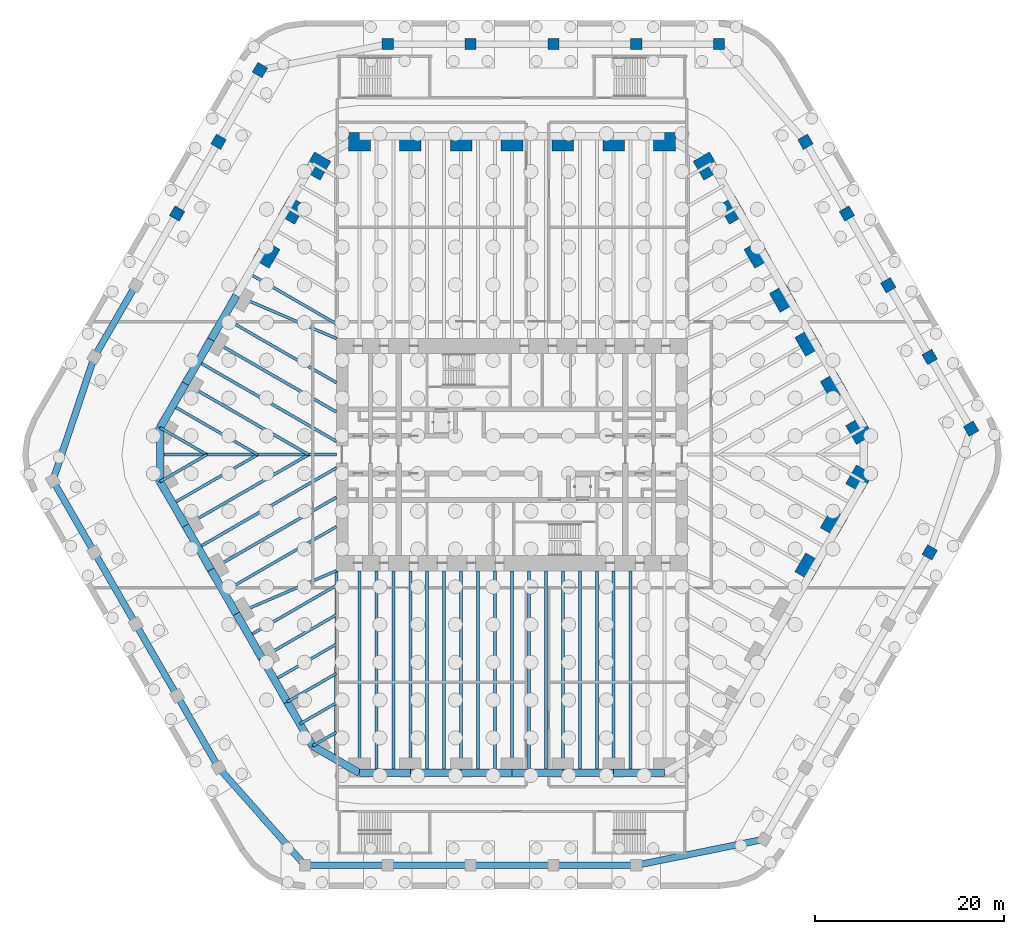
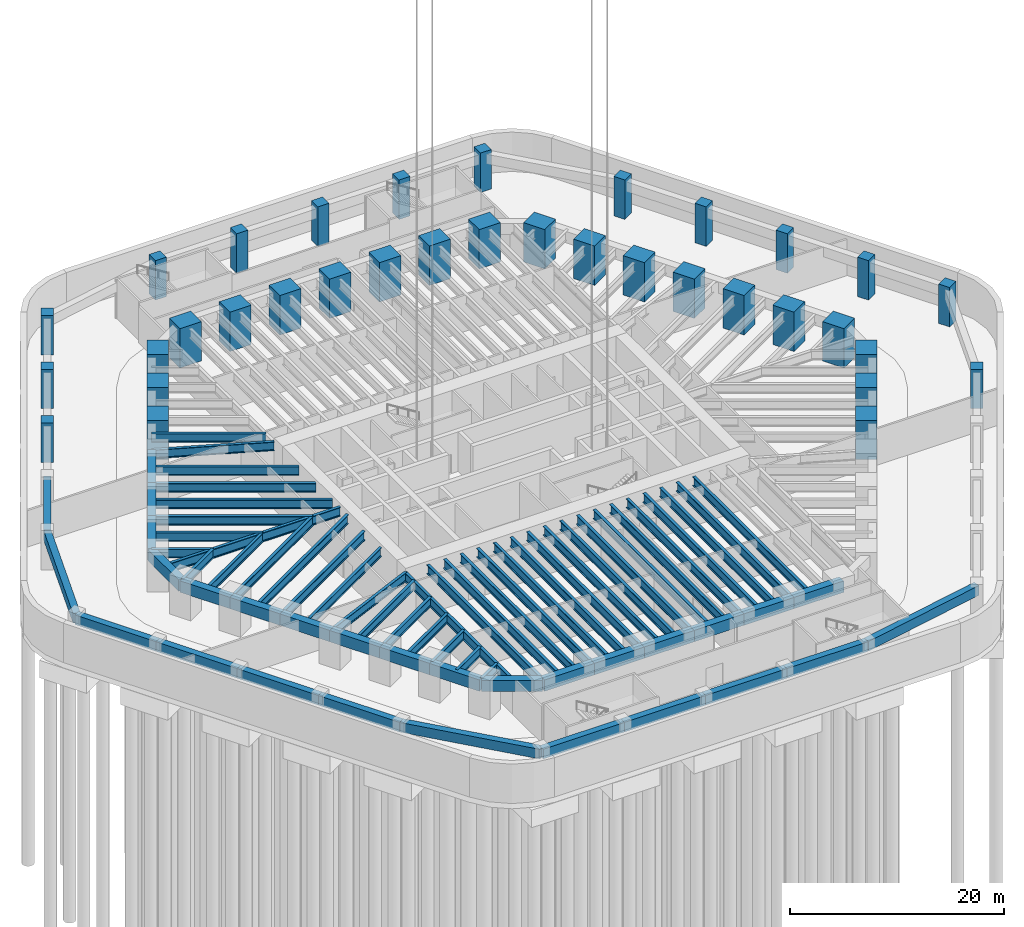
# One storey, part 3 of 17: 69 beams, 34 columns.
"""IFC4 building model written with IfcOpenShell, lengths in metres."""

from ifc_helpers import new_model, si_unit, direction, frame, origin, origin_2d, place, context, subcontext, project, spatial, rectangle, i_section, extrude, material, material_profile, profile_set, type_object, element, save


model = new_model("IFC4")

# Units and contexts
model_context = context("Model", 3, precision=1e-05, world=origin(), true_north=direction((0.0, 1.0)))
body_context = subcontext(model_context, "Body", "Model", "MODEL_VIEW")
ifc_project = project(units=[si_unit("LENGTHUNIT", "METRE"), si_unit("AREAUNIT", "SQUARE_METRE"), si_unit("VOLUMEUNIT", "CUBIC_METRE"), si_unit("PLANEANGLEUNIT", "RADIAN"), si_unit("MASSUNIT", "GRAM", prefix="KILO")], contexts=[model_context])

# Site, building, storey
site_placement = place(None, origin())
site = spatial("IfcSite", under=ifc_project, at=site_placement, CompositionType="ELEMENT")
building_placement = place(site_placement, origin())
building = spatial("IfcBuilding", under=site, at=building_placement, Name="Tarfa Lantern Tower", CompositionType="ELEMENT")
storey_placement = place(building_placement, frame((0.0, 0.0, -9.0)))
storey = spatial("IfcBuildingStorey", under=building, at=storey_placement, Name="B2", CompositionType="ELEMENT", Elevation=-9.0)

# Columns
ifc_material_1 = material(Name="Concrete C80/95", Category="concrete")
ifc_material_profile_1 = material_profile(ifc_material_1, rectangle(XDim=1.199951171875, YDim=1.199951171875, at=origin_2d()), Name="RC 1200x1200")
ifc_profile_set_1 = profile_set([ifc_material_profile_1], Name="Concrete C80/95")
column_type_1 = type_object("IfcColumnType", Name="PC1 RC 1200x1200", PredefinedType="COLUMN", material=ifc_profile_set_1)
for number, where, z_axis, x_axis, name in (
    (1, (48.641845703125, 2.75, 0.0), (0.0, 0.0, 1.0), (-0.5, 0.866025403784, 0.0), "Podium column NE0"),
    (2, (44.25390625, 10.35009765625, 0.0), (0.0, 0.0, 1.0), (-0.5, 0.866025403784, 0.0), "Podium column NE1"),
    (3, (39.865966796875, 17.949951171875, 0.0), (0.0, 0.0, 1.0), (-0.5, 0.866025403784, 0.0), "Podium column NE2"),
    (4, (35.478271484375, 25.550048828125, 0.0), (0.0, 0.0, 1.0), (-0.5, 0.866025403784, 0.0), "Podium column NE3"),
    (5, (31.09033203125, 33.14990234375, 0.0), (0.0, 0.0, 1.0), (-0.5, 0.866025403784, 0.0), "Podium column NE4"),
    (6, (21.939208984375, 43.5, 0.0), (0.0, 0.0, 1.0), (-1.0, 0.0, 0.0), "Podium column N0"),
    (7, (13.16357421875, 43.5, 0.0), (0.0, 0.0, 1.0), (-1.0, 0.0, 0.0), "Podium column N1"),
    (8, (4.387939453125, 43.5, 0.0), (0.0, 0.0, 1.0), (-1.0, 0.0, 0.0), "Podium column N2"),
    (9, (-4.387939453125, 43.5, 0.0), (0.0, 0.0, 1.0), (-1.0, 0.0, 0.0), "Podium column N3"),
    (10, (-13.16357421875, 43.5, 0.0), (0.0, 0.0, 1.0), (-1.0, 0.0, 0.0), "Podium column N4"),
    (11, (-26.702392578125, 40.75, 0.0), (0.0, 0.0, 1.0), (-0.5, -0.866025403784, 0.0), "Podium column NW0"),
    (12, (-31.09033203125, 33.14990234375, 0.0), (0.0, 0.0, 1.0), (-0.5, -0.866025403784, 0.0), "Podium column NW1"),
    (13, (-35.478271484375, 25.550048828125, 0.0), (0.0, 0.0, 1.0), (-0.5, -0.866025403784, 0.0), "Podium column NW2"),
    (14, (44.25390625, -10.35009765625, 0.0), (0.0, 0.0, 1.0), (0.5, 0.866025403784, 0.0), "Podium column SE4"),
):
    element("IfcColumn", number, at=place(storey_placement, frame(where, z_axis=z_axis, x_axis=x_axis)), inside=storey, type_object=column_type_1, Name=name, PredefinedType="COLUMN", context=body_context, shape_type="SweptSolid", body=[
        extrude(rectangle(XDim=1.199951171875, YDim=1.199951171875, at=origin_2d()), origin(), (0.0, 0.0, 1.0), 4.5),
    ])
ifc_material_profile_2 = material_profile(ifc_material_1, rectangle(XDim=2.300048828125, YDim=2.0, at=origin_2d()), Name="RC 2300x2000")
ifc_profile_set_2 = profile_set([ifc_material_profile_2], Name="Concrete C80/95")
column_type_2 = type_object("IfcColumnType", Name="TC1 RC 2300x2000", PredefinedType="COLUMN", material=ifc_profile_set_2)
for number, where, z_axis, x_axis, name in (
    (15, (36.791748046875, 2.574951171875, 0.0), (0.0, 0.0, 1.0), (-0.5, 0.866025403784, 0.0), "Tube column NE0"),
    (16, (34.097412109375, 7.24169921875, 0.0), (0.0, 0.0, 1.0), (-0.5, 0.866025403784, 0.0), "Tube column NE1"),
    (17, (31.403076171875, 11.908447265625, 0.0), (0.0, 0.0, 1.0), (-0.5, 0.866025403784, 0.0), "Tube column NE2"),
    (18, (28.708740234375, 16.574951171875, 0.0), (0.0, 0.0, 1.0), (-0.5, 0.866025403784, 0.0), "Tube column NE3"),
    (19, (26.014404296875, 21.24169921875, 0.0), (0.0, 0.0, 1.0), (-0.5, 0.866025403784, 0.0), "Tube column NE4"),
    (20, (23.320068359375, 25.908447265625, 0.0), (0.0, 0.0, 1.0), (-0.5, 0.866025403784, 0.0), "Tube column NE5"),
    (21, (20.625732421875, 30.574951171875, 0.0), (0.0, 0.0, 1.0), (-0.5, 0.866025403784, 0.0), "Tube column NE6"),
    (22, (16.165771484375, 33.14990234375, 0.0), (0.0, 0.0, 1.0), (-1.0, 0.0, 0.0), "Tube column N0"),
    (23, (10.777099609375, 33.14990234375, 0.0), (0.0, 0.0, 1.0), (-1.0, 0.0, 0.0), "Tube column N1"),
    (24, (5.388671875, 33.14990234375, 0.0), (0.0, 0.0, 1.0), (-1.0, 0.0, 0.0), "Tube column N2"),
    (25, (0.0, 33.14990234375, 0.0), (0.0, 0.0, 1.0), (-1.0, 0.0, 0.0), "Tube column N3"),
    (26, (-5.388671875, 33.14990234375, 0.0), (0.0, 0.0, 1.0), (-1.0, 0.0, 0.0), "Tube column N4"),
    (27, (-10.777099609375, 33.14990234375, 0.0), (0.0, 0.0, 1.0), (-1.0, 0.0, 0.0), "Tube column N5"),
    (28, (-16.165771484375, 33.14990234375, 0.0), (0.0, 0.0, 1.0), (-1.0, 0.0, 0.0), "Tube column N6"),
    (29, (-20.625732421875, 30.574951171875, 0.0), (0.0, 0.0, 1.0), (-0.5, -0.866025403784, 0.0), "Tube column NW0"),
    (30, (-23.320068359375, 25.908447265625, 0.0), (0.0, 0.0, 1.0), (-0.5, -0.866025403784, 0.0), "Tube column NW1"),
    (31, (-26.014404296875, 21.24169921875, 0.0), (0.0, 0.0, 1.0), (-0.5, -0.866025403784, 0.0), "Tube column NW2"),
    (32, (31.403076171875, -11.908447265625, 0.0), (0.0, 0.0, 1.0), (0.5, 0.866025403784, 0.0), "Tube column SE4"),
    (33, (34.097412109375, -7.24169921875, 0.0), (0.0, 0.0, 1.0), (0.5, 0.866025403784, 0.0), "Tube column SE5"),
    (34, (36.791748046875, -2.574951171875, 0.0), (0.0, 0.0, 1.0), (0.5, 0.866025403784, 0.0), "Tube column SE6"),
):
    element("IfcColumn", number, at=place(storey_placement, frame(where, z_axis=z_axis, x_axis=x_axis)), inside=storey, type_object=column_type_2, Name=name, PredefinedType="COLUMN", context=body_context, shape_type="SweptSolid", body=[
        extrude(rectangle(XDim=2.300048828125, YDim=2.0, at=origin_2d()), origin(), (0.0, 0.0, 1.0), 4.5),
    ])

# Beams
ifc_material_profile_3 = material_profile(ifc_material_1, rectangle(XDim=0.800048828125, YDim=1.300048828125, at=origin_2d()), Name="RC 800x1300")
ifc_profile_set_3 = profile_set([ifc_material_profile_3], Name="Concrete C80/95")
beam_type_1 = type_object("IfcBeamType", Name="EB1 RC 800x1300", PredefinedType="SPANDREL", material=ifc_profile_set_3)
for number, where, z_axis, x_axis, name in (
    (35, (-29.202392578125, 16.860107421875, 3.5), (-0.499998287579, -0.866026392449, 0.0), (0.866026392449, -0.499998287579, 0.0), "Edge beam NW3"),
    (36, (-31.896728515625, 12.193359375, 3.5), (-0.499998287579, -0.866026392449, 0.0), (0.866026392449, -0.499998287579, 0.0), "Edge beam NW4"),
):
    element("IfcBeam", number, at=place(storey_placement, frame(where, z_axis=z_axis, x_axis=x_axis)), inside=storey, type_object=beam_type_1, Name=name, PredefinedType="SPANDREL", context=body_context, shape_type="SweptSolid", body=[
        extrude(rectangle(XDim=0.800048828125, YDim=1.300048828125, at=origin_2d()), origin(), (0.0, 0.0, 1.0), 5.388671875),
    ])
beam_1_placement = place(storey_placement, frame((-34.591064453125, 7.526611328125, 3.5), z_axis=(-0.500017906299, -0.866015065331, 0.0), x_axis=(0.866015065331, -0.500017906299, 0.0)))
element("IfcBeam", 37, at=beam_1_placement, inside=storey, type_object=beam_type_1, Name="Edge beam NW5", PredefinedType="SPANDREL", context=body_context, shape_type="SweptSolid", body=[
    extrude(rectangle(XDim=0.800048828125, YDim=1.300048828125, at=origin_2d()), origin(), (0.0, 0.0, 1.0), 5.388427734375),
])
beam_2_placement = place(storey_placement, frame((-37.285400390625, 2.860107421875, 3.5), z_axis=(0.0, -1.0, 0.0), x_axis=(1.0, 0.0, 0.0)))
element("IfcBeam", 38, at=beam_2_placement, inside=storey, type_object=beam_type_1, Name="Edge beam NW6", PredefinedType="SPANDREL", context=body_context, shape_type="SweptSolid", body=[
    extrude(rectangle(XDim=0.800048828125, YDim=1.300048828125, at=origin_2d()), origin(), (0.0, 0.0, 1.0), 5.72021484375),
])
beam_3_placement = place(storey_placement, frame((-37.285400390625, -2.860107421875, 3.5), z_axis=(0.500017906299, -0.866015065331, 0.0), x_axis=(0.866015065331, 0.500017906299, 0.0)))
element("IfcBeam", 39, at=beam_3_placement, inside=storey, type_object=beam_type_1, Name="Edge beam SW0", PredefinedType="SPANDREL", context=body_context, shape_type="SweptSolid", body=[
    extrude(rectangle(XDim=0.800048828125, YDim=1.300048828125, at=origin_2d()), origin(), (0.0, 0.0, 1.0), 5.388427734375),
])
for number, where, z_axis, x_axis, name in (
    (40, (-34.591064453125, -7.526611328125, 3.5), (0.499998287579, -0.866026392449, 0.0), (0.866026392449, 0.499998287579, 0.0), "Edge beam SW1"),
    (41, (-31.896728515625, -12.193359375, 3.5), (0.499998287579, -0.866026392449, 0.0), (0.866026392449, 0.499998287579, 0.0), "Edge beam SW2"),
):
    element("IfcBeam", number, at=place(storey_placement, frame(where, z_axis=z_axis, x_axis=x_axis)), inside=storey, type_object=beam_type_1, Name=name, PredefinedType="SPANDREL", context=body_context, shape_type="SweptSolid", body=[
        extrude(rectangle(XDim=0.800048828125, YDim=1.300048828125, at=origin_2d()), origin(), (0.0, 0.0, 1.0), 5.388671875),
    ])
beam_4_placement = place(storey_placement, frame((-29.202392578125, -16.860107421875, 3.5), z_axis=(0.500017906299, -0.866015065331, 0.0), x_axis=(0.866015065331, 0.500017906299, 0.0)))
element("IfcBeam", 42, at=beam_4_placement, inside=storey, type_object=beam_type_1, Name="Edge beam SW3", PredefinedType="SPANDREL", context=body_context, shape_type="SweptSolid", body=[
    extrude(rectangle(XDim=0.800048828125, YDim=1.300048828125, at=origin_2d()), origin(), (0.0, 0.0, 1.0), 5.388427734375),
])
for number, where, z_axis, x_axis, name in (
    (43, (-26.508056640625, -21.526611328125, 3.5), (0.499998287579, -0.866026392449, 0.0), (0.866026392449, 0.499998287579, 0.0), "Edge beam SW4"),
    (44, (-23.813720703125, -26.193359375, 3.5), (0.499998287579, -0.866026392449, 0.0), (0.866026392449, 0.499998287579, 0.0), "Edge beam SW5"),
):
    element("IfcBeam", number, at=place(storey_placement, frame(where, z_axis=z_axis, x_axis=x_axis)), inside=storey, type_object=beam_type_1, Name=name, PredefinedType="SPANDREL", context=body_context, shape_type="SweptSolid", body=[
        extrude(rectangle(XDim=0.800048828125, YDim=1.300048828125, at=origin_2d()), origin(), (0.0, 0.0, 1.0), 5.388671875),
    ])
beam_5_placement = place(storey_placement, frame((-21.119384765625, -30.860107421875, 3.5), z_axis=(0.866033479681, -0.499986011877, 0.0), x_axis=(0.499986011877, 0.866033479681, 0.0)))
element("IfcBeam", 45, at=beam_5_placement, inside=storey, type_object=beam_type_1, Name="Edge beam SW6", PredefinedType="SPANDREL", context=body_context, shape_type="SweptSolid", body=[
    extrude(rectangle(XDim=0.800048828125, YDim=1.300048828125, at=origin_2d()), origin(), (0.0, 0.0, 1.0), 5.719970703125),
])
beam_6_placement = place(storey_placement, frame((-16.165771484375, -33.719970703125, 3.5), z_axis=(1.0, 0.0, 0.0), x_axis=(0.0, 1.0, 0.0)))
element("IfcBeam", 46, at=beam_6_placement, inside=storey, type_object=beam_type_1, Name="Edge beam S0", PredefinedType="SPANDREL", context=body_context, shape_type="SweptSolid", body=[
    extrude(rectangle(XDim=0.800048828125, YDim=1.300048828125, at=origin_2d()), origin(), (0.0, 0.0, 1.0), 5.388671875),
])
beam_7_placement = place(storey_placement, frame((-10.777099609375, -33.719970703125, 3.5), z_axis=(1.0, 0.0, 0.0), x_axis=(0.0, 1.0, 0.0)))
element("IfcBeam", 47, at=beam_7_placement, inside=storey, type_object=beam_type_1, Name="Edge beam S1", PredefinedType="SPANDREL", context=body_context, shape_type="SweptSolid", body=[
    extrude(rectangle(XDim=0.800048828125, YDim=1.300048828125, at=origin_2d()), origin(), (0.0, 0.0, 1.0), 5.388427734375),
])
for number, where, z_axis, x_axis, name in (
    (48, (-5.388671875, -33.719970703125, 3.5), (1.0, 0.0, 0.0), (0.0, 1.0, 0.0), "Edge beam S2"),
    (49, (0.0, -33.719970703125, 3.5), (1.0, 0.0, 0.0), (0.0, 1.0, 0.0), "Edge beam S3"),
):
    element("IfcBeam", number, at=place(storey_placement, frame(where, z_axis=z_axis, x_axis=x_axis)), inside=storey, type_object=beam_type_1, Name=name, PredefinedType="SPANDREL", context=body_context, shape_type="SweptSolid", body=[
        extrude(rectangle(XDim=0.800048828125, YDim=1.300048828125, at=origin_2d()), origin(), (0.0, 0.0, 1.0), 5.388671875),
    ])
beam_8_placement = place(storey_placement, frame((5.388671875, -33.719970703125, 3.5), z_axis=(1.0, 0.0, 0.0), x_axis=(0.0, 1.0, 0.0)))
element("IfcBeam", 50, at=beam_8_placement, inside=storey, type_object=beam_type_1, Name="Edge beam S4", PredefinedType="SPANDREL", context=body_context, shape_type="SweptSolid", body=[
    extrude(rectangle(XDim=0.800048828125, YDim=1.300048828125, at=origin_2d()), origin(), (0.0, 0.0, 1.0), 5.388427734375),
])
beam_9_placement = place(storey_placement, frame((10.777099609375, -33.719970703125, 3.5), z_axis=(1.0, 0.0, 0.0), x_axis=(0.0, 1.0, 0.0)))
element("IfcBeam", 51, at=beam_9_placement, inside=storey, type_object=beam_type_1, Name="Edge beam S5", PredefinedType="SPANDREL", context=body_context, shape_type="SweptSolid", body=[
    extrude(rectangle(XDim=0.800048828125, YDim=1.300048828125, at=origin_2d()), origin(), (0.0, 0.0, 1.0), 5.388671875),
])
ifc_material_profile_4 = material_profile(ifc_material_1, rectangle(XDim=0.699951171875, YDim=1.10009765625, at=origin_2d()), Name="RC 700x1100")
ifc_profile_set_4 = profile_set([ifc_material_profile_4], Name="Concrete C80/95")
beam_type_2 = type_object("IfcBeamType", Name="PB1 RC 700x1100", PredefinedType="BEAM", material=ifc_profile_set_4)
beam_10_placement = place(storey_placement, frame((-39.865966796875, 17.949951171875, 3.60009765625), z_axis=(-0.500013843384, -0.866017411155, 0.0), x_axis=(0.866017411155, -0.500013843384, 0.0)))
element("IfcBeam", 52, at=beam_10_placement, inside=storey, type_object=beam_type_2, Name="Podium ring beam NW3", PredefinedType="BEAM", context=body_context, shape_type="SweptSolid", body=[
    extrude(rectangle(XDim=0.699951171875, YDim=1.10009765625, at=origin_2d()), origin(), (0.0, 0.0, 1.0), 8.775634765625),
])
beam_11_placement = place(storey_placement, frame((-44.25390625, 10.35009765625, 3.60009765625), z_axis=(-0.317611113529, -0.948221061021, 0.0), x_axis=(0.948221061021, -0.317611113529, 0.0)))
element("IfcBeam", 53, at=beam_11_placement, inside=storey, type_object=beam_type_2, Name="Podium ring beam NW4", PredefinedType="BEAM", context=body_context, shape_type="SweptSolid", body=[
    extrude(rectangle(XDim=0.699951171875, YDim=1.10009765625, at=origin_2d()), origin(), (0.0, 0.0, 1.0), 13.8154296875),
])
beam_12_placement = place(storey_placement, frame((-48.641845703125, -2.75, 3.60009765625), z_axis=(0.50000179687, -0.866024366359, 0.0), x_axis=(0.866024366359, 0.50000179687, 0.0)))
element("IfcBeam", 54, at=beam_12_placement, inside=storey, type_object=beam_type_2, Name="Podium ring beam SW0", PredefinedType="BEAM", context=body_context, shape_type="SweptSolid", body=[
    extrude(rectangle(XDim=0.699951171875, YDim=1.10009765625, at=origin_2d()), origin(), (0.0, 0.0, 1.0), 8.77587890625),
])
for number, where, z_axis, x_axis, name in (
    (55, (-44.25390625, -10.35009765625, 3.60009765625), (0.500013843384, -0.866017411155, 0.0), (0.866017411155, 0.500013843384, 0.0), "Podium ring beam SW1"),
    (56, (-39.865966796875, -17.949951171875, 3.60009765625), (0.499980931779, -0.866036412547, 0.0), (0.866036412547, 0.499980931779, 0.0), "Podium ring beam SW2"),
    (57, (-35.478271484375, -25.550048828125, 3.60009765625), (0.500013843384, -0.866017411155, 0.0), (0.866017411155, 0.500013843384, 0.0), "Podium ring beam SW3"),
):
    element("IfcBeam", number, at=place(storey_placement, frame(where, z_axis=z_axis, x_axis=x_axis)), inside=storey, type_object=beam_type_2, Name=name, PredefinedType="BEAM", context=body_context, shape_type="SweptSolid", body=[
        extrude(rectangle(XDim=0.699951171875, YDim=1.10009765625, at=origin_2d()), origin(), (0.0, 0.0, 1.0), 8.775634765625),
    ])
beam_13_placement = place(storey_placement, frame((-31.09033203125, -33.14990234375, 3.60009765625), z_axis=(0.662381688084, -0.74916653642, 0.0), x_axis=(0.74916653642, 0.662381688084, 0.0)))
element("IfcBeam", 58, at=beam_13_placement, inside=storey, type_object=beam_type_2, Name="Podium ring beam SW4", PredefinedType="BEAM", context=body_context, shape_type="SweptSolid", body=[
    extrude(rectangle(XDim=0.699951171875, YDim=1.10009765625, at=origin_2d()), origin(), (0.0, 0.0, 1.0), 13.8154296875),
])
for number, where, z_axis, x_axis, name in (
    (59, (-21.939208984375, -43.5, 3.60009765625), (1.0, 0.0, 0.0), (0.0, 1.0, 0.0), "Podium ring beam S0"),
    (60, (-13.16357421875, -43.5, 3.60009765625), (1.0, 0.0, 0.0), (0.0, 1.0, 0.0), "Podium ring beam S1"),
):
    element("IfcBeam", number, at=place(storey_placement, frame(where, z_axis=z_axis, x_axis=x_axis)), inside=storey, type_object=beam_type_2, Name=name, PredefinedType="BEAM", context=body_context, shape_type="SweptSolid", body=[
        extrude(rectangle(XDim=0.699951171875, YDim=1.10009765625, at=origin_2d()), origin(), (0.0, 0.0, 1.0), 8.775634765625),
    ])
beam_14_placement = place(storey_placement, frame((-4.387939453125, -43.5, 3.60009765625), z_axis=(1.0, 0.0, 0.0), x_axis=(0.0, 1.0, 0.0)))
element("IfcBeam", 61, at=beam_14_placement, inside=storey, type_object=beam_type_2, Name="Podium ring beam S2", PredefinedType="BEAM", context=body_context, shape_type="SweptSolid", body=[
    extrude(rectangle(XDim=0.699951171875, YDim=1.10009765625, at=origin_2d()), origin(), (0.0, 0.0, 1.0), 8.77587890625),
])
beam_15_placement = place(storey_placement, frame((4.387939453125, -43.5, 3.60009765625), z_axis=(1.0, 0.0, 0.0), x_axis=(0.0, 1.0, 0.0)))
element("IfcBeam", 62, at=beam_15_placement, inside=storey, type_object=beam_type_2, Name="Podium ring beam S3", PredefinedType="BEAM", context=body_context, shape_type="SweptSolid", body=[
    extrude(rectangle(XDim=0.699951171875, YDim=1.10009765625, at=origin_2d()), origin(), (0.0, 0.0, 1.0), 8.775634765625),
])
beam_16_placement = place(storey_placement, frame((13.16357421875, -43.5, 3.60009765625), z_axis=(0.979988342999, 0.199054885863, 0.0), x_axis=(-0.199054885863, 0.979988342999, 0.0)))
element("IfcBeam", 63, at=beam_16_placement, inside=storey, type_object=beam_type_2, Name="Podium ring beam S4", PredefinedType="BEAM", context=body_context, shape_type="SweptSolid", body=[
    extrude(rectangle(XDim=0.699951171875, YDim=1.10009765625, at=origin_2d()), origin(), (0.0, 0.0, 1.0), 13.815185546875),
])
ifc_material_2 = material(Name="Steel S460M", Category="steel")
ifc_material_profile_5 = material_profile(ifc_material_2, i_section(OverallWidth=0.302001953125, OverallDepth=1.008056640625, WebThickness=0.02099609375, FlangeThickness=0.0400390625, FilletRadius=0.030029296875, at=origin_2d()), Name="UB1016x305x349")
ifc_profile_set_5 = profile_set([ifc_material_profile_5], Name="Steel S460M")
beam_type_3 = type_object("IfcBeamType", Name="UB1016x305x349", PredefinedType="BEAM", material=ifc_profile_set_5)
beam_17_placement = place(storey_placement, frame((-29.202392578125, 16.860107421875, 3.64599609375), z_axis=(0.918635483867, -0.395106122175, 0.0), x_axis=(0.395106122175, 0.918635483867, 0.0)))
element("IfcBeam", 64, at=beam_17_placement, inside=storey, type_object=beam_type_3, Name="Floor beam NW3", PredefinedType="BEAM", context=body_context, shape_type="SweptSolid", body=[
    extrude(i_section(OverallWidth=0.302001953125, OverallDepth=1.008056640625, WebThickness=0.02099609375, FlangeThickness=0.0400390625, FilletRadius=0.030029296875, at=origin_2d()), origin(), (0.0, 0.0, 1.0), 11.541259765625),
])
for number, where, z_axis, x_axis, name in (
    (65, (-37.285400390625, 2.860107421875, 3.64599609375), (0.866025668288, -0.499999541866, 0.0), (0.499999541866, 0.866025668288, 0.0), "Floor beam NW6"),
    (66, (-37.285400390625, -2.860107421875, 3.64599609375), (0.866025668288, 0.499999541866, 0.0), (-0.499999541866, 0.866025668288, 0.0), "Floor beam SW0"),
):
    element("IfcBeam", number, at=place(storey_placement, frame(where, z_axis=z_axis, x_axis=x_axis)), inside=storey, type_object=beam_type_3, Name=name, PredefinedType="BEAM", context=body_context, shape_type="SweptSolid", body=[
        extrude(i_section(OverallWidth=0.302001953125, OverallDepth=1.008056640625, WebThickness=0.02099609375, FlangeThickness=0.0400390625, FilletRadius=0.030029296875, at=origin_2d()), origin(), (0.0, 0.0, 1.0), 5.72021484375),
    ])
beam_18_placement = place(storey_placement, frame((-29.202392578125, -16.860107421875, 3.64599609375), z_axis=(0.918635483867, 0.395106122175, 0.0), x_axis=(-0.395106122175, 0.918635483867, 0.0)))
element("IfcBeam", 67, at=beam_18_placement, inside=storey, type_object=beam_type_3, Name="Floor beam SW3", PredefinedType="BEAM", context=body_context, shape_type="SweptSolid", body=[
    extrude(i_section(OverallWidth=0.302001953125, OverallDepth=1.008056640625, WebThickness=0.02099609375, FlangeThickness=0.0400390625, FilletRadius=0.030029296875, at=origin_2d()), origin(), (0.0, 0.0, 1.0), 11.541259765625),
])
beam_19_placement = place(storey_placement, frame((-26.508056640625, -21.526611328125, 3.64599609375), z_axis=(0.866035355799, 0.49998276221, 0.0), x_axis=(-0.49998276221, 0.866035355799, 0.0)))
element("IfcBeam", 68, at=beam_19_placement, inside=storey, type_object=beam_type_3, Name="Floor beam SW4", PredefinedType="BEAM", context=body_context, shape_type="SweptSolid", body=[
    extrude(i_section(OverallWidth=0.302001953125, OverallDepth=1.008056640625, WebThickness=0.02099609375, FlangeThickness=0.0400390625, FilletRadius=0.030029296875, at=origin_2d()), origin(), (0.0, 0.0, 1.0), 9.119873046875),
])
beam_20_placement = place(storey_placement, frame((-23.813720703125, -26.193359375, 3.64599609375), z_axis=(0.866015997389, 0.500016292001, 0.0), x_axis=(-0.500016292001, 0.866015997389, 0.0)))
element("IfcBeam", 69, at=beam_20_placement, inside=storey, type_object=beam_type_3, Name="Floor beam SW5", PredefinedType="BEAM", context=body_context, shape_type="SweptSolid", body=[
    extrude(i_section(OverallWidth=0.302001953125, OverallDepth=1.008056640625, WebThickness=0.02099609375, FlangeThickness=0.0400390625, FilletRadius=0.030029296875, at=origin_2d()), origin(), (0.0, 0.0, 1.0), 5.993408203125),
])
beam_21_placement = place(storey_placement, frame((-21.119384765625, -30.860107421875, 3.64599609375), z_axis=(0.866012580594, 0.500022209759, 0.0), x_axis=(-0.500022209759, 0.866012580594, 0.0)))
element("IfcBeam", 70, at=beam_21_placement, inside=storey, type_object=beam_type_3, Name="Floor beam SW6", PredefinedType="BEAM", context=body_context, shape_type="SweptSolid", body=[
    extrude(i_section(OverallWidth=0.302001953125, OverallDepth=1.008056640625, WebThickness=0.02099609375, FlangeThickness=0.0400390625, FilletRadius=0.030029296875, at=origin_2d()), origin(), (0.0, 0.0, 1.0), 2.866943359375),
])
beam_22_placement = place(storey_placement, frame((-27.855224609375, 19.193359375, 3.64599609375), z_axis=(0.866028034017, -0.499995444275, 0.0), x_axis=(0.499995444275, 0.866028034017, 0.0)))
element("IfcBeam", 71, at=beam_22_placement, inside=storey, type_object=beam_type_3, Name="Floor beam NW2M", PredefinedType="BEAM", context=body_context, shape_type="SweptSolid", body=[
    extrude(i_section(OverallWidth=0.302001953125, OverallDepth=1.008056640625, WebThickness=0.02099609375, FlangeThickness=0.0400390625, FilletRadius=0.030029296875, at=origin_2d()), origin(), (0.0, 0.0, 1.0), 10.68310546875),
])
beam_23_placement = place(storey_placement, frame((-30.549560546875, 14.526611328125, 3.64599609375), z_axis=(0.866028536827, -0.499994573371, 0.0), x_axis=(0.499994573371, 0.866028536827, 0.0)))
element("IfcBeam", 72, at=beam_23_placement, inside=storey, type_object=beam_type_3, Name="Floor beam NW3M", PredefinedType="BEAM", context=body_context, shape_type="SweptSolid", body=[
    extrude(i_section(OverallWidth=0.302001953125, OverallDepth=1.008056640625, WebThickness=0.02099609375, FlangeThickness=0.0400390625, FilletRadius=0.030029296875, at=origin_2d()), origin(), (0.0, 0.0, 1.0), 13.798095703125),
])
for number, where, z_axis, x_axis, name in (
    (73, (-35.938232421875, 5.193359375, 3.64599609375), (0.866024317969, -0.500001880682, 0.0), (0.500001880682, 0.866024317969, 0.0), "Floor beam NW5M"),
    (74, (-35.938232421875, -5.193359375, 3.64599609375), (0.866024317969, 0.500001880682, 0.0), (-0.500001880682, 0.866024317969, 0.0), "Floor beam SW0M"),
):
    element("IfcBeam", number, at=place(storey_placement, frame(where, z_axis=z_axis, x_axis=x_axis)), inside=storey, type_object=beam_type_3, Name=name, PredefinedType="BEAM", context=body_context, shape_type="SweptSolid", body=[
        extrude(i_section(OverallWidth=0.302001953125, OverallDepth=1.008056640625, WebThickness=0.02099609375, FlangeThickness=0.0400390625, FilletRadius=0.030029296875, at=origin_2d()), origin(), (0.0, 0.0, 1.0), 10.38671875),
    ])
beam_24_placement = place(storey_placement, frame((-30.549560546875, -14.526611328125, 3.64599609375), z_axis=(0.866028536827, 0.499994573371, 0.0), x_axis=(-0.499994573371, 0.866028536827, 0.0)))
element("IfcBeam", 75, at=beam_24_placement, inside=storey, type_object=beam_type_3, Name="Floor beam SW2M", PredefinedType="BEAM", context=body_context, shape_type="SweptSolid", body=[
    extrude(i_section(OverallWidth=0.302001953125, OverallDepth=1.008056640625, WebThickness=0.02099609375, FlangeThickness=0.0400390625, FilletRadius=0.030029296875, at=origin_2d()), origin(), (0.0, 0.0, 1.0), 13.798095703125),
])
beam_25_placement = place(storey_placement, frame((-27.855224609375, -19.193359375, 3.64599609375), z_axis=(0.866028034017, 0.499995444275, 0.0), x_axis=(-0.499995444275, 0.866028034017, 0.0)))
element("IfcBeam", 76, at=beam_25_placement, inside=storey, type_object=beam_type_3, Name="Floor beam SW3M", PredefinedType="BEAM", context=body_context, shape_type="SweptSolid", body=[
    extrude(i_section(OverallWidth=0.302001953125, OverallDepth=1.008056640625, WebThickness=0.02099609375, FlangeThickness=0.0400390625, FilletRadius=0.030029296875, at=origin_2d()), origin(), (0.0, 0.0, 1.0), 10.68310546875),
])
beam_26_placement = place(storey_placement, frame((-25.160888671875, -23.860107421875, 3.64599609375), z_axis=(0.866009650502, 0.500027284493, 0.0), x_axis=(-0.500027284493, 0.866009650502, 0.0)))
element("IfcBeam", 77, at=beam_26_placement, inside=storey, type_object=beam_type_3, Name="Floor beam SW4M", PredefinedType="BEAM", context=body_context, shape_type="SweptSolid", body=[
    extrude(i_section(OverallWidth=0.302001953125, OverallDepth=1.008056640625, WebThickness=0.02099609375, FlangeThickness=0.0400390625, FilletRadius=0.030029296875, at=origin_2d()), origin(), (0.0, 0.0, 1.0), 7.556640625),
])
beam_27_placement = place(storey_placement, frame((-22.466552734375, -28.526611328125, 3.64599609375), z_axis=(0.866026823135, 0.499997541604, 0.0), x_axis=(-0.499997541604, 0.866026823135, 0.0)))
element("IfcBeam", 78, at=beam_27_placement, inside=storey, type_object=beam_type_3, Name="Floor beam SW5M", PredefinedType="BEAM", context=body_context, shape_type="SweptSolid", body=[
    extrude(i_section(OverallWidth=0.302001953125, OverallDepth=1.008056640625, WebThickness=0.02099609375, FlangeThickness=0.0400390625, FilletRadius=0.030029296875, at=origin_2d()), origin(), (0.0, 0.0, 1.0), 4.43017578125),
])
ifc_material_profile_6 = material_profile(ifc_material_2, i_section(OverallWidth=0.314208984375, OverallDepth=1.055908203125, WebThickness=0.035888671875, FlangeThickness=0.06396484375, FilletRadius=0.030029296875, at=origin_2d()), Name="UB1016x305x584")
ifc_profile_set_6 = profile_set([ifc_material_profile_6], Name="Steel S460M")
beam_type_4 = type_object("IfcBeamType", Name="UB1016x305x584", PredefinedType="BEAM", material=ifc_profile_set_6)
beam_28_placement = place(storey_placement, frame((-18.60009765625, 0.0, 3.6220703125), z_axis=(-1.0, 0.0, 0.0), x_axis=(0.0, -1.0, 0.0)))
element("IfcBeam", 79, at=beam_28_placement, inside=storey, type_object=beam_type_4, Name="Hip girder W", PredefinedType="BEAM", context=body_context, shape_type="SweptSolid", body=[
    extrude(i_section(OverallWidth=0.314208984375, OverallDepth=1.055908203125, WebThickness=0.035888671875, FlangeThickness=0.06396484375, FilletRadius=0.030029296875, at=origin_2d()), origin(), (0.0, 0.0, 1.0), 18.685302734375),
])
beam_29_placement = place(storey_placement, frame((-18.60009765625, -12.300048828125, 3.6220703125), z_axis=(-0.00212508222, -0.99999774201, 0.0), x_axis=(0.99999774201, -0.00212508222, 0.0)))
element("IfcBeam", 80, at=beam_29_placement, inside=storey, type_object=beam_type_4, Name="Hip girder SW", PredefinedType="BEAM", context=body_context, shape_type="SweptSolid", body=[
    extrude(i_section(OverallWidth=0.314208984375, OverallDepth=1.055908203125, WebThickness=0.035888671875, FlangeThickness=0.06396484375, FilletRadius=0.030029296875, at=origin_2d()), origin(), (0.0, 0.0, 1.0), 19.989990234375),
])
beam_30_placement = place(storey_placement, frame((-31.896728515625, 12.193359375, 3.6220703125), z_axis=(0.866026971665, -0.499997284341, 0.0), x_axis=(0.499997284341, 0.866026971665, 0.0)))
element("IfcBeam", 81, at=beam_30_placement, inside=storey, type_object=beam_type_4, Name="Floor beam NW4", PredefinedType="BEAM", context=body_context, shape_type="SweptSolid", body=[
    extrude(i_section(OverallWidth=0.314208984375, OverallDepth=1.055908203125, WebThickness=0.035888671875, FlangeThickness=0.06396484375, FilletRadius=0.030029296875, at=origin_2d()), origin(), (0.0, 0.0, 1.0), 15.353515625),
])
for number, where, z_axis, x_axis, name in (
    (82, (-34.591064453125, 7.526611328125, 3.6220703125), (0.86602785945, -0.499995746638, 0.0), (0.499995746638, 0.86602785945, 0.0), "Floor beam NW5"),
    (83, (-34.591064453125, -7.526611328125, 3.6220703125), (0.86602785945, 0.499995746638, 0.0), (-0.499995746638, 0.86602785945, 0.0), "Floor beam SW1"),
):
    element("IfcBeam", number, at=place(storey_placement, frame(where, z_axis=z_axis, x_axis=x_axis)), inside=storey, type_object=beam_type_4, Name=name, PredefinedType="BEAM", context=body_context, shape_type="SweptSolid", body=[
        extrude(i_section(OverallWidth=0.314208984375, OverallDepth=1.055908203125, WebThickness=0.035888671875, FlangeThickness=0.06396484375, FilletRadius=0.030029296875, at=origin_2d()), origin(), (0.0, 0.0, 1.0), 15.053466796875),
    ])
beam_31_placement = place(storey_placement, frame((-31.896728515625, -12.193359375, 3.6220703125), z_axis=(0.866026971665, 0.499997284341, 0.0), x_axis=(-0.499997284341, 0.866026971665, 0.0)))
element("IfcBeam", 84, at=beam_31_placement, inside=storey, type_object=beam_type_4, Name="Floor beam SW2", PredefinedType="BEAM", context=body_context, shape_type="SweptSolid", body=[
    extrude(i_section(OverallWidth=0.314208984375, OverallDepth=1.055908203125, WebThickness=0.035888671875, FlangeThickness=0.06396484375, FilletRadius=0.030029296875, at=origin_2d()), origin(), (0.0, 0.0, 1.0), 15.353515625),
])
for number, where, z_axis, x_axis, name in (
    (85, (-16.165771484375, -33.719970703125, 3.6220703125), (0.0, 1.0, 0.0), (-1.0, 0.0, 0.0), "Floor beam S0"),
    (86, (-10.777099609375, -33.719970703125, 3.6220703125), (0.0, 1.0, 0.0), (-1.0, 0.0, 0.0), "Floor beam S1"),
    (87, (-5.388671875, -33.719970703125, 3.6220703125), (0.0, 1.0, 0.0), (-1.0, 0.0, 0.0), "Floor beam S2"),
    (88, (0.0, -33.719970703125, 3.6220703125), (0.0, 1.0, 0.0), (-1.0, 0.0, 0.0), "Floor beam S3"),
    (89, (5.388671875, -33.719970703125, 3.6220703125), (0.0, 1.0, 0.0), (-1.0, 0.0, 0.0), "Floor beam S4"),
    (90, (10.777099609375, -33.719970703125, 3.6220703125), (0.0, 1.0, 0.0), (-1.0, 0.0, 0.0), "Floor beam S5"),
):
    element("IfcBeam", number, at=place(storey_placement, frame(where, z_axis=z_axis, x_axis=x_axis)), inside=storey, type_object=beam_type_4, Name=name, PredefinedType="BEAM", context=body_context, shape_type="SweptSolid", body=[
        extrude(i_section(OverallWidth=0.314208984375, OverallDepth=1.055908203125, WebThickness=0.035888671875, FlangeThickness=0.06396484375, FilletRadius=0.030029296875, at=origin_2d()), origin(), (0.0, 0.0, 1.0), 21.419921875),
    ])
for number, where, z_axis, x_axis, name in (
    (91, (-33.243896484375, 9.860107421875, 3.6220703125), (0.866019442478, -0.500010325144, 0.0), (0.500010325144, 0.866019442478, 0.0), "Floor beam NW4M"),
    (92, (-33.243896484375, -9.860107421875, 3.6220703125), (0.866019442478, 0.500010325144, 0.0), (-0.500010325144, 0.866019442478, 0.0), "Floor beam SW1M"),
):
    element("IfcBeam", number, at=place(storey_placement, frame(where, z_axis=z_axis, x_axis=x_axis)), inside=storey, type_object=beam_type_4, Name=name, PredefinedType="BEAM", context=body_context, shape_type="SweptSolid", body=[
        extrude(i_section(OverallWidth=0.314208984375, OverallDepth=1.055908203125, WebThickness=0.035888671875, FlangeThickness=0.06396484375, FilletRadius=0.030029296875, at=origin_2d()), origin(), (0.0, 0.0, 1.0), 16.909423828125),
    ])
for number, where, z_axis, x_axis, name in (
    (93, (-14.36962890625, -33.719970703125, 3.6220703125), (0.0, 1.0, 0.0), (-1.0, 0.0, 0.0), "Floor beam S0M1"),
    (94, (-12.573486328125, -33.719970703125, 3.6220703125), (0.0, 1.0, 0.0), (-1.0, 0.0, 0.0), "Floor beam S0M2"),
    (95, (-8.98095703125, -33.719970703125, 3.6220703125), (0.0, 1.0, 0.0), (-1.0, 0.0, 0.0), "Floor beam S1M1"),
    (96, (-7.184814453125, -33.719970703125, 3.6220703125), (0.0, 1.0, 0.0), (-1.0, 0.0, 0.0), "Floor beam S1M2"),
    (97, (-3.59228515625, -33.719970703125, 3.6220703125), (0.0, 1.0, 0.0), (-1.0, 0.0, 0.0), "Floor beam S2M1"),
    (98, (-1.796142578125, -33.719970703125, 3.6220703125), (0.0, 1.0, 0.0), (-1.0, 0.0, 0.0), "Floor beam S2M2"),
    (99, (1.796142578125, -33.719970703125, 3.6220703125), (0.0, 1.0, 0.0), (-1.0, 0.0, 0.0), "Floor beam S3M1"),
    (100, (3.59228515625, -33.719970703125, 3.6220703125), (0.0, 1.0, 0.0), (-1.0, 0.0, 0.0), "Floor beam S3M2"),
    (101, (7.184814453125, -33.719970703125, 3.6220703125), (0.0, 1.0, 0.0), (-1.0, 0.0, 0.0), "Floor beam S4M1"),
    (102, (8.98095703125, -33.719970703125, 3.6220703125), (0.0, 1.0, 0.0), (-1.0, 0.0, 0.0), "Floor beam S4M2"),
    (103, (12.573486328125, -33.719970703125, 3.6220703125), (0.0, 1.0, 0.0), (-1.0, 0.0, 0.0), "Floor beam S5M1"),
):
    element("IfcBeam", number, at=place(storey_placement, frame(where, z_axis=z_axis, x_axis=x_axis)), inside=storey, type_object=beam_type_4, Name=name, PredefinedType="BEAM", context=body_context, shape_type="SweptSolid", body=[
        extrude(i_section(OverallWidth=0.314208984375, OverallDepth=1.055908203125, WebThickness=0.035888671875, FlangeThickness=0.06396484375, FilletRadius=0.030029296875, at=origin_2d()), origin(), (0.0, 0.0, 1.0), 21.419921875),
    ])

save(model, "model.ifc")
